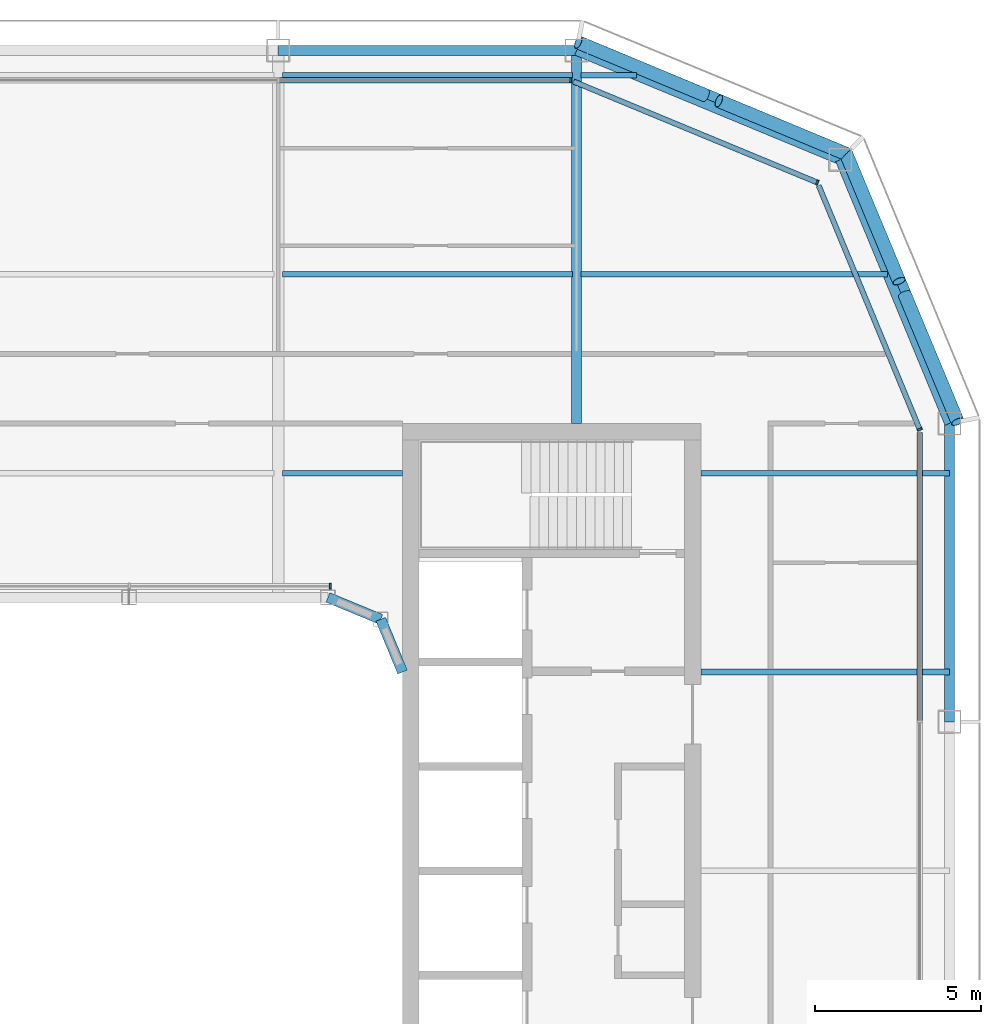
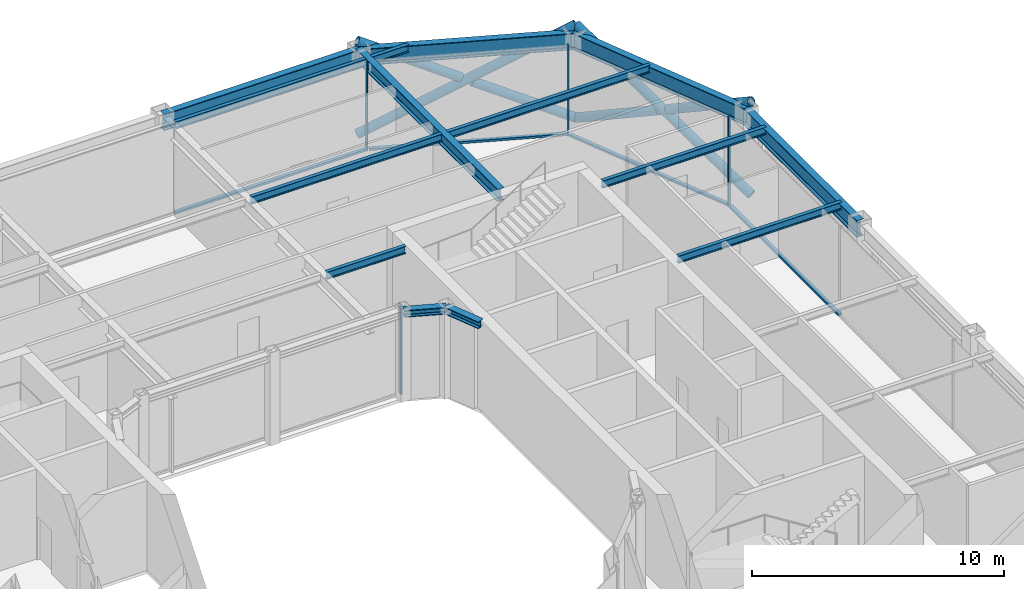
# One storey, part 9 of 21: 14 beams, 14 members, 5 elements without a shape of their own.
"""IFC4 building model written with IfcOpenShell, lengths in metres."""

from ifc_helpers import new_model, si_unit, direction, frame, origin, origin_2d, place, context, subcontext, project, spatial, rectangle, hollow_circle, i_section, extrude, material, layer, layer_set, material_profile, profile_set, type_object, element, aggregate, save


model = new_model("IFC4")

# Units and contexts
model_context = context("Model", 3, precision=1e-05, world=origin(), true_north=direction((0.0, 1.0)))
body_context = subcontext(model_context, "Body", "Model", "MODEL_VIEW")
ifc_project = project(units=[si_unit("LENGTHUNIT", "METRE"), si_unit("AREAUNIT", "SQUARE_METRE"), si_unit("VOLUMEUNIT", "CUBIC_METRE"), si_unit("PLANEANGLEUNIT", "RADIAN"), si_unit("MASSUNIT", "GRAM", prefix="KILO")], contexts=[model_context])

# Site, building, storey
site_placement = place(None, origin())
site = spatial("IfcSite", under=ifc_project, at=site_placement, CompositionType="ELEMENT")
building_placement = place(site_placement, origin())
building = spatial("IfcBuilding", under=site, at=building_placement, Name="Siwar Civic Tower", CompositionType="ELEMENT")
storey_placement = place(building_placement, frame((0.0, 0.0, 334.699951171875)))
storey = spatial("IfcBuildingStorey", under=building, at=storey_placement, Name="L72", CompositionType="ELEMENT", Elevation=334.699951171875)

# Curtain wall, member
ifc_material_1 = material(Name="Aluminium clad insulated panel", Category="aluminium")
ifc_layer_1 = layer(ifc_material_1, 0.159912109375)
ifc_layer_set_1 = layer_set([ifc_layer_1], Name="Aluminium clad insulated panel")
curtain_wall_type_1 = type_object("IfcCurtainWallType", Name="ENV-CW-DX", PredefinedType="NOTDEFINED", material=ifc_layer_set_1)
curtain_wall_1_placement = place(storey_placement, origin())
curtain_wall_1 = element("IfcCurtainWall", 1, at=curtain_wall_1_placement, inside=storey, type_object=curtain_wall_type_1, Name="Curtain wall D NE1", PredefinedType="NOTDEFINED")
ifc_material_2 = material(Name="Aluminium 6063-T6", Category="aluminium")
ifc_material_profile_1 = material_profile(ifc_material_2, rectangle(XDim=0.159912109375, YDim=0.06005859375, at=origin_2d()), Name="AL 160x60")
ifc_profile_set_1 = profile_set([ifc_material_profile_1], Name="Aluminium 6063-T6")
member_type_1 = type_object("IfcMemberType", Name="ENV-MULLION-D", PredefinedType="MULLION", material=ifc_profile_set_1)
member_1_placement = place(storey_placement, frame((23.85009765625, 13.321044921875, 0.0), z_axis=(0.0, 0.0, 1.0), x_axis=(-0.923879532511, -0.382683432365, 0.0)))
member_1 = element("IfcMember", 2, at=member_1_placement, type_object=member_type_1, Name="Mullion D NE1 1", PredefinedType="MULLION", context=body_context, shape_type="SweptSolid", body=[
    extrude(rectangle(XDim=0.159912109375, YDim=0.06005859375, at=origin_2d()), origin(), (0.0, 0.0, 1.0), 4.35009765625),
])

curtain_wall_2_placement = place(storey_placement, origin())
curtain_wall_2 = element("IfcCurtainWall", 3, at=curtain_wall_2_placement, inside=storey, type_object=curtain_wall_type_1, Name="Curtain wall D NE2", PredefinedType="NOTDEFINED")
member_2_placement = place(storey_placement, frame((20.76611328125, 20.76611328125, 0.0), z_axis=(0.0, 0.0, 1.0), x_axis=(-0.382683432365, -0.923879532511, 0.0)))
member_2 = element("IfcMember", 4, at=member_2_placement, type_object=member_type_1, Name="Mullion D NE2 1", PredefinedType="MULLION", context=body_context, shape_type="SweptSolid", body=[
    extrude(rectangle(XDim=0.159912109375, YDim=0.06005859375, at=origin_2d()), origin(), (0.0, 0.0, 1.0), 4.35009765625),
])

ifc_material_3 = material(Name="Aluminium and glass", Category="aluminium")
ifc_layer_2 = layer(ifc_material_3, 0.159912109375)
ifc_layer_set_2 = layer_set([ifc_layer_2], Name="Aluminium and glass")
curtain_wall_type_2 = type_object("IfcCurtainWallType", Name="ENV-CW-D", PredefinedType="NOTDEFINED", material=ifc_layer_set_2)
curtain_wall_3_placement = place(storey_placement, origin())
curtain_wall_3 = element("IfcCurtainWall", 5, at=curtain_wall_3_placement, inside=storey, type_object=curtain_wall_type_2, Name="Curtain wall D N", PredefinedType="NOTDEFINED")
member_3_placement = place(storey_placement, frame((13.321044921875, 23.85009765625, 0.0), z_axis=(0.0, 0.0, 1.0), x_axis=(0.0, -1.0, 0.0)))
member_3 = element("IfcMember", 6, at=member_3_placement, type_object=member_type_1, Name="Mullion D N 1", PredefinedType="MULLION", context=body_context, shape_type="SweptSolid", body=[
    extrude(rectangle(XDim=0.159912109375, YDim=0.06005859375, at=origin_2d()), origin(), (0.0, 0.0, 1.0), 4.35009765625),
])

ifc_material_4 = material(Name="Aluminium and glass", Category="aluminium")
ifc_layer_3 = layer(ifc_material_4, 0.179931640625)
ifc_layer_set_3 = layer_set([ifc_layer_3], Name="Aluminium and glass")
curtain_wall_type_3 = type_object("IfcCurtainWallType", Name="ENV-CW-W", PredefinedType="NOTDEFINED", material=ifc_layer_set_3)
curtain_wall_4_placement = place(storey_placement, origin())
curtain_wall_4 = element("IfcCurtainWall", 7, at=curtain_wall_4_placement, inside=storey, type_object=curtain_wall_type_3, Name="Curtain wall W WN", PredefinedType="NOTDEFINED")
ifc_material_5 = material(Name="Aluminium 6063-T6", Category="aluminium")
ifc_material_profile_2 = material_profile(ifc_material_5, rectangle(XDim=0.179931640625, YDim=0.06005859375, at=origin_2d()), Name="AL 180x60")
ifc_profile_set_2 = profile_set([ifc_material_profile_2], Name="Aluminium 6063-T6")
member_type_2 = type_object("IfcMemberType", Name="ENV-MULLION-W", PredefinedType="MULLION", material=ifc_profile_set_2)
member_4_placement = place(storey_placement, frame((6.066650390625, 8.5849609375, 0.0), z_axis=(0.0, 0.0, 1.0), x_axis=(0.0, -1.0, 0.0)))
member_4 = element("IfcMember", 8, at=member_4_placement, type_object=member_type_2, Name="Mullion W WN 1", PredefinedType="MULLION", context=body_context, shape_type="SweptSolid", body=[
    extrude(rectangle(XDim=0.179931640625, YDim=0.06005859375, at=origin_2d()), origin(), (0.0, 0.0, 1.0), 4.35009765625),
])
aggregate(curtain_wall_4, [member_4])

curtain_wall_5_placement = place(storey_placement, origin())
curtain_wall_5 = element("IfcCurtainWall", 9, at=curtain_wall_5_placement, inside=storey, type_object=curtain_wall_type_2, Name="Curtain wall D E", PredefinedType="NOTDEFINED")
ifc_material_6 = material(Name="Aluminium 6063-T6", Category="aluminium")
ifc_material_profile_3 = material_profile(ifc_material_6, rectangle(XDim=0.159912109375, YDim=0.10009765625, at=origin_2d()), Name="AL 160x100")
ifc_profile_set_3 = profile_set([ifc_material_profile_3], Name="Aluminium 6063-T6")
member_type_3 = type_object("IfcMemberType", Name="ENV-TRANSOM-D", PredefinedType="USERDEFINED", material=ifc_profile_set_3)
member_5_placement = place(storey_placement, frame((23.85009765625, 4.530029296875, 0.050048828125), z_axis=(0.0, 1.0, 0.0), x_axis=(-1.0, 0.0, 0.0)))
member_5 = element("IfcMember", 10, at=member_5_placement, type_object=member_type_3, Name="Transom D E 3", ObjectType="TRANSOM", PredefinedType="USERDEFINED", context=body_context, shape_type="SweptSolid", body=[
    extrude(rectangle(XDim=0.159912109375, YDim=0.10009765625, at=origin_2d()), origin(), (0.0, 0.0, 1.0), 8.693115234375),
])
aggregate(curtain_wall_5, [member_5])

# Member
member_6_placement = place(storey_placement, frame((23.838623046875, 13.3486328125, 0.050048828125), z_axis=(-0.382699790424, 0.923872756612, 0.0), x_axis=(-0.923872756612, -0.382699790424, 0.0)))
member_6 = element("IfcMember", 11, at=member_6_placement, type_object=member_type_3, Name="Transom D NE1 1", ObjectType="TRANSOM", PredefinedType="USERDEFINED", context=body_context, shape_type="SweptSolid", body=[
    extrude(rectangle(XDim=0.159912109375, YDim=0.10009765625, at=origin_2d()), origin(), (0.0, 0.0, 1.0), 7.930908203125),
])

aggregate(curtain_wall_1, [member_1, member_6])

member_7_placement = place(storey_placement, frame((20.738525390625, 20.777587890625, 0.050048828125), z_axis=(-0.923883640343, 0.382673515031, 0.0), x_axis=(-0.382673515031, -0.923883640343, 0.0)))
member_7 = element("IfcMember", 12, at=member_7_placement, type_object=member_type_3, Name="Transom D NE2 1", ObjectType="TRANSOM", PredefinedType="USERDEFINED", context=body_context, shape_type="SweptSolid", body=[
    extrude(rectangle(XDim=0.159912109375, YDim=0.10009765625, at=origin_2d()), origin(), (0.0, 0.0, 1.0), 7.930908203125),
])

aggregate(curtain_wall_2, [member_2, member_7])

member_8_placement = place(storey_placement, frame((13.291015625, 23.85009765625, 0.050048828125), z_axis=(-1.0, 0.0, 0.0), x_axis=(0.0, -1.0, 0.0)))
member_8 = element("IfcMember", 13, at=member_8_placement, type_object=member_type_3, Name="Transom D N 1", ObjectType="TRANSOM", PredefinedType="USERDEFINED", context=body_context, shape_type="SweptSolid", body=[
    extrude(rectangle(XDim=0.159912109375, YDim=0.10009765625, at=origin_2d()), origin(), (0.0, 0.0, 1.0), 8.760986328125),
])

aggregate(curtain_wall_3, [member_3, member_8])

# Members
ifc_material_7 = material(Name="Steel S355", Category="steel")
ifc_material_profile_4 = material_profile(ifc_material_7, hollow_circle(Radius=0.203125, WallThickness=0.01611328125, at=origin_2d()), Name="CHS406.4x16")
ifc_profile_set_4 = profile_set([ifc_material_profile_4], Name="Steel S355")
member_type_4 = type_object("IfcMemberType", Name="STR-BR-CHS406.4x16", PredefinedType="BRACE", material=ifc_profile_set_4)
member_9_placement = place(storey_placement, frame((13.548828125, 24.9951171875, 0.0), z_axis=(0.821142553604, -0.341671493852, 0.457149315816), x_axis=(0.384163874976, 0.923264922524, 0.0)))
element("IfcMember", 14, at=member_9_placement, inside=storey, type_object=member_type_4, Name="L72/brc/DNE1-11-0-1", PredefinedType="BRACE", context=body_context, shape_type="SweptSolid", body=[
    extrude(hollow_circle(Radius=0.203125, WallThickness=0.01611328125, at=origin_2d()), origin(), (0.0, 0.0, 1.0), 9.843505859375),
])
member_10_placement = place(storey_placement, frame((21.6318359375, 21.6318359375, 0.0), z_axis=(-0.821147096886, 0.341644380467, 0.457161418507), x_axis=(-0.38413607648, -0.923276488787, 0.0)))
element("IfcMember", 15, at=member_10_placement, inside=storey, type_object=member_type_4, Name="L72/brc/DNE1-11-0-2", PredefinedType="BRACE", context=body_context, shape_type="SweptSolid", body=[
    extrude(hollow_circle(Radius=0.203125, WallThickness=0.01611328125, at=origin_2d()), origin(), (0.0, 0.0, 1.0), 4.677001953125),
])
member_11_placement = place(storey_placement, frame((17.38916015625, 23.397216796875, 2.362060546875), z_axis=(-0.821149689876, 0.341667178655, 0.457139722456), x_axis=(-0.384156893273, -0.923267827529, 0.0)))
element("IfcMember", 16, at=member_11_placement, inside=storey, type_object=member_type_4, Name="L72/brc/DNE1-11-0-3", PredefinedType="BRACE", context=body_context, shape_type="SweptSolid", body=[
    extrude(hollow_circle(Radius=0.203125, WallThickness=0.01611328125, at=origin_2d()), origin(), (0.0, 0.0, 1.0), 4.6767578125),
])
member_12_placement = place(storey_placement, frame((24.9951171875, 13.548828125, 0.0), z_axis=(-0.341671493852, 0.821142553604, 0.457149315816), x_axis=(-0.923264922524, -0.384163874976, 0.0)))
element("IfcMember", 17, at=member_12_placement, inside=storey, type_object=member_type_4, Name="L72/brc/DNE1-11-0-0", PredefinedType="BRACE", context=body_context, shape_type="SweptSolid", body=[
    extrude(hollow_circle(Radius=0.203125, WallThickness=0.01611328125, at=origin_2d()), origin(), (0.0, 0.0, 1.0), 9.843505859375),
])
member_13_placement = place(storey_placement, frame((21.6318359375, 21.6318359375, 0.0), z_axis=(0.341644380467, -0.821147096886, 0.457161418507), x_axis=(0.923276488787, 0.38413607648, 0.0)))
element("IfcMember", 18, at=member_13_placement, inside=storey, type_object=member_type_4, Name="L72/brc/DNE1-11-0-4", PredefinedType="BRACE", context=body_context, shape_type="SweptSolid", body=[
    extrude(hollow_circle(Radius=0.203125, WallThickness=0.01611328125, at=origin_2d()), origin(), (0.0, 0.0, 1.0), 4.677001953125),
])
member_14_placement = place(storey_placement, frame((23.397216796875, 17.38916015625, 2.362060546875), z_axis=(0.341667178655, -0.821149689876, 0.457139722456), x_axis=(0.923267827529, 0.384156893273, 0.0)))
element("IfcMember", 19, at=member_14_placement, inside=storey, type_object=member_type_4, Name="L72/brc/DNE1-11-0-5", PredefinedType="BRACE", context=body_context, shape_type="SweptSolid", body=[
    extrude(hollow_circle(Radius=0.203125, WallThickness=0.01611328125, at=origin_2d()), origin(), (0.0, 0.0, 1.0), 4.6767578125),
])

# Beams
ifc_material_8 = material(Name="Steel S355", Category="steel")
ifc_material_profile_5 = material_profile(ifc_material_8, i_section(OverallWidth=0.169921875, OverallDepth=0.360107421875, WebThickness=0.008056640625, FlangeThickness=0.0126953125, FilletRadius=0.01806640625, at=origin_2d()), Name="IPE360")
ifc_profile_set_5 = profile_set([ifc_material_profile_5], Name="Steel S355")
beam_type_1 = type_object("IfcBeamType", Name="STR-FB-IPE360", PredefinedType="JOIST", material=ifc_profile_set_5)
beam_1_placement = place(storey_placement, frame((17.25, 6.0, 4.170166015625), z_axis=(1.0, 0.0, 0.0), x_axis=(0.0, 1.0, 0.0)))
element("IfcBeam", 20, at=beam_1_placement, inside=storey, type_object=beam_type_1, Name="L72/bm/F021", PredefinedType="JOIST", context=body_context, shape_type="SweptSolid", body=[
    extrude(i_section(OverallWidth=0.169921875, OverallDepth=0.360107421875, WebThickness=0.008056640625, FlangeThickness=0.0126953125, FilletRadius=0.01806640625, at=origin_2d()), origin(), (0.0, 0.0, 1.0), 7.5),
])
beam_2_placement = place(storey_placement, frame((4.6298828125, 12.0, 4.170166015625), z_axis=(1.0, 0.0, 0.0), x_axis=(0.0, 1.0, 0.0)))
element("IfcBeam", 21, at=beam_2_placement, inside=storey, type_object=beam_type_1, Name="L72/bm/F025", PredefinedType="JOIST", context=body_context, shape_type="SweptSolid", body=[
    extrude(i_section(OverallWidth=0.169921875, OverallDepth=0.360107421875, WebThickness=0.008056640625, FlangeThickness=0.0126953125, FilletRadius=0.01806640625, at=origin_2d()), origin(), (0.0, 0.0, 1.0), 3.6201171875),
])
beam_3_placement = place(storey_placement, frame((17.25, 12.0, 4.170166015625), z_axis=(1.0, 0.0, 0.0), x_axis=(0.0, 1.0, 0.0)))
element("IfcBeam", 22, at=beam_3_placement, inside=storey, type_object=beam_type_1, Name="L72/bm/F026", PredefinedType="JOIST", context=body_context, shape_type="SweptSolid", body=[
    extrude(i_section(OverallWidth=0.169921875, OverallDepth=0.360107421875, WebThickness=0.008056640625, FlangeThickness=0.0126953125, FilletRadius=0.01806640625, at=origin_2d()), origin(), (0.0, 0.0, 1.0), 7.5),
])
beam_4_placement = place(storey_placement, frame((4.6298828125, 18.0, 4.170166015625), z_axis=(1.0, 0.0, 0.0), x_axis=(0.0, 1.0, 0.0)))
element("IfcBeam", 23, at=beam_4_placement, inside=storey, type_object=beam_type_1, Name="L72/bm/F030", PredefinedType="JOIST", context=body_context, shape_type="SweptSolid", body=[
    extrude(i_section(OverallWidth=0.169921875, OverallDepth=0.360107421875, WebThickness=0.008056640625, FlangeThickness=0.0126953125, FilletRadius=0.01806640625, at=origin_2d()), origin(), (0.0, 0.0, 1.0), 8.740234375),
])
beam_5_placement = place(storey_placement, frame((13.6298828125, 18.0, 4.170166015625), z_axis=(1.0, 0.0, 0.0), x_axis=(0.0, 1.0, 0.0)))
element("IfcBeam", 24, at=beam_5_placement, inside=storey, type_object=beam_type_1, Name="L72/bm/F031", PredefinedType="JOIST", context=body_context, shape_type="SweptSolid", body=[
    extrude(i_section(OverallWidth=0.169921875, OverallDepth=0.360107421875, WebThickness=0.008056640625, FlangeThickness=0.0126953125, FilletRadius=0.01806640625, at=origin_2d()), origin(), (0.0, 0.0, 1.0), 9.256103515625),
])
beam_6_placement = place(storey_placement, frame((4.6298828125, 24.0, 4.170166015625), z_axis=(1.0, 0.0, 0.0), x_axis=(0.0, 1.0, 0.0)))
element("IfcBeam", 25, at=beam_6_placement, inside=storey, type_object=beam_type_1, Name="L72/bm/F035", PredefinedType="JOIST", context=body_context, shape_type="SweptSolid", body=[
    extrude(i_section(OverallWidth=0.169921875, OverallDepth=0.360107421875, WebThickness=0.008056640625, FlangeThickness=0.0126953125, FilletRadius=0.01806640625, at=origin_2d()), origin(), (0.0, 0.0, 1.0), 8.740234375),
])
beam_7_placement = place(storey_placement, frame((13.6298828125, 24.0, 4.170166015625), z_axis=(1.0, 0.0, 0.0), x_axis=(0.0, 1.0, 0.0)))
element("IfcBeam", 26, at=beam_7_placement, inside=storey, type_object=beam_type_1, Name="L72/bm/F036", PredefinedType="JOIST", context=body_context, shape_type="SweptSolid", body=[
    extrude(i_section(OverallWidth=0.169921875, OverallDepth=0.360107421875, WebThickness=0.008056640625, FlangeThickness=0.0126953125, FilletRadius=0.01806640625, at=origin_2d()), origin(), (0.0, 0.0, 1.0), 1.6806640625),
])
ifc_material_9 = material(Name="Steel S355", Category="steel")
ifc_material_profile_6 = material_profile(ifc_material_9, i_section(OverallWidth=0.300048828125, OverallDepth=0.60009765625, WebThickness=0.015380859375, FlangeThickness=0.030029296875, FilletRadius=0.027099609375, at=origin_2d()), Name="HEB600")
ifc_profile_set_6 = profile_set([ifc_material_profile_6], Name="Steel S355")
beam_type_2 = type_object("IfcBeamType", Name="STR-PG-HEB600", PredefinedType="BEAM", material=ifc_profile_set_6)
beam_8_placement = place(storey_placement, frame((13.5, 13.5, 4.050048828125), z_axis=(0.0, 1.0, 0.0), x_axis=(-1.0, 0.0, 0.0)))
element("IfcBeam", 27, at=beam_8_placement, inside=storey, type_object=beam_type_2, Name="L72/bm/G08", PredefinedType="BEAM", context=body_context, shape_type="SweptSolid", body=[
    extrude(i_section(OverallWidth=0.300048828125, OverallDepth=0.60009765625, WebThickness=0.015380859375, FlangeThickness=0.030029296875, FilletRadius=0.027099609375, at=origin_2d()), origin(), (0.0, 0.0, 1.0), 11.25),
])
ifc_material_10 = material(Name="Steel S355", Category="steel")
ifc_material_profile_7 = material_profile(ifc_material_10, i_section(OverallWidth=0.31005859375, OverallDepth=0.340087890625, WebThickness=0.02099609375, FlangeThickness=0.0390625, FilletRadius=0.027099609375, at=origin_2d()), Name="HEM300")
ifc_profile_set_7 = profile_set([ifc_material_profile_7], Name="Steel S355")
beam_type_3 = type_object("IfcBeamType", Name="STR-RB-HEM300", PredefinedType="BEAM", material=ifc_profile_set_7)
for number, where, z_axis, x_axis, name in (
    (28, (6.0, 8.25, 4.179931640625), (0.923901072997, -0.382631424892, 0.0), (0.382631424892, 0.923901072997, 0.0), "L72/bm/RN3"),
    (29, (7.591064453125, 7.591064453125, 4.179931640625), (0.382631424892, -0.923901072997, 0.0), (0.923901072997, 0.382631424892, 0.0), "L72/bm/RNEE"),
):
    element("IfcBeam", number, at=place(storey_placement, frame(where, z_axis=z_axis, x_axis=x_axis)), inside=storey, type_object=beam_type_3, Name=name, PredefinedType="BEAM", context=body_context, shape_type="SweptSolid", body=[
        extrude(i_section(OverallWidth=0.31005859375, OverallDepth=0.340087890625, WebThickness=0.02099609375, FlangeThickness=0.0390625, FilletRadius=0.027099609375, at=origin_2d()), origin(), (0.0, 0.0, 1.0), 1.72216796875),
    ])
ifc_material_11 = material(Name="Steel S355", Category="steel")
ifc_material_profile_8 = material_profile(ifc_material_11, i_section(OverallWidth=0.300048828125, OverallDepth=0.800048828125, WebThickness=0.017578125, FlangeThickness=0.032958984375, FilletRadius=0.030029296875, at=origin_2d()), Name="HEB800")
ifc_profile_set_8 = profile_set([ifc_material_profile_8], Name="Steel S355")
beam_type_4 = type_object("IfcBeamType", Name="STR-SB-HEB800", PredefinedType="BEAM", material=ifc_profile_set_8)
beam_9_placement = place(storey_placement, frame((24.75, 4.5, 3.949951171875), z_axis=(0.0, 1.0, 0.0), x_axis=(-1.0, 0.0, 0.0)))
element("IfcBeam", 30, at=beam_9_placement, inside=storey, type_object=beam_type_4, Name="L72/bm/SE-2", PredefinedType="BEAM", context=body_context, shape_type="SweptSolid", body=[
    extrude(i_section(OverallWidth=0.300048828125, OverallDepth=0.800048828125, WebThickness=0.017578125, FlangeThickness=0.032958984375, FilletRadius=0.030029296875, at=origin_2d()), origin(), (0.0, 0.0, 1.0), 9.0),
])
for number, where, z_axis, x_axis, name in (
    (31, (24.75, 13.5, 3.949951171875), (-0.382699877515, 0.923872720536, 0.0), (-0.923872720536, -0.382699877515, 0.0), "L72/bm/SNE1-0"),
    (32, (21.454833984375, 21.454833984375, 3.949951171875), (-0.923872720536, 0.382699877515, 0.0), (-0.382699877515, -0.923872720536, 0.0), "L72/bm/SNE2-0"),
):
    element("IfcBeam", number, at=place(storey_placement, frame(where, z_axis=z_axis, x_axis=x_axis)), inside=storey, type_object=beam_type_4, Name=name, PredefinedType="BEAM", context=body_context, shape_type="SweptSolid", body=[
        extrude(i_section(OverallWidth=0.300048828125, OverallDepth=0.800048828125, WebThickness=0.017578125, FlangeThickness=0.032958984375, FilletRadius=0.030029296875, at=origin_2d()), origin(), (0.0, 0.0, 1.0), 8.6103515625),
    ])
beam_10_placement = place(storey_placement, frame((13.5, 24.75, 3.949951171875), z_axis=(-1.0, 0.0, 0.0), x_axis=(0.0, -1.0, 0.0)))
element("IfcBeam", 33, at=beam_10_placement, inside=storey, type_object=beam_type_4, Name="L72/bm/SN-0", PredefinedType="BEAM", context=body_context, shape_type="SweptSolid", body=[
    extrude(i_section(OverallWidth=0.300048828125, OverallDepth=0.800048828125, WebThickness=0.017578125, FlangeThickness=0.032958984375, FilletRadius=0.030029296875, at=origin_2d()), origin(), (0.0, 0.0, 1.0), 9.0),
])

save(model, "model.ifc")
